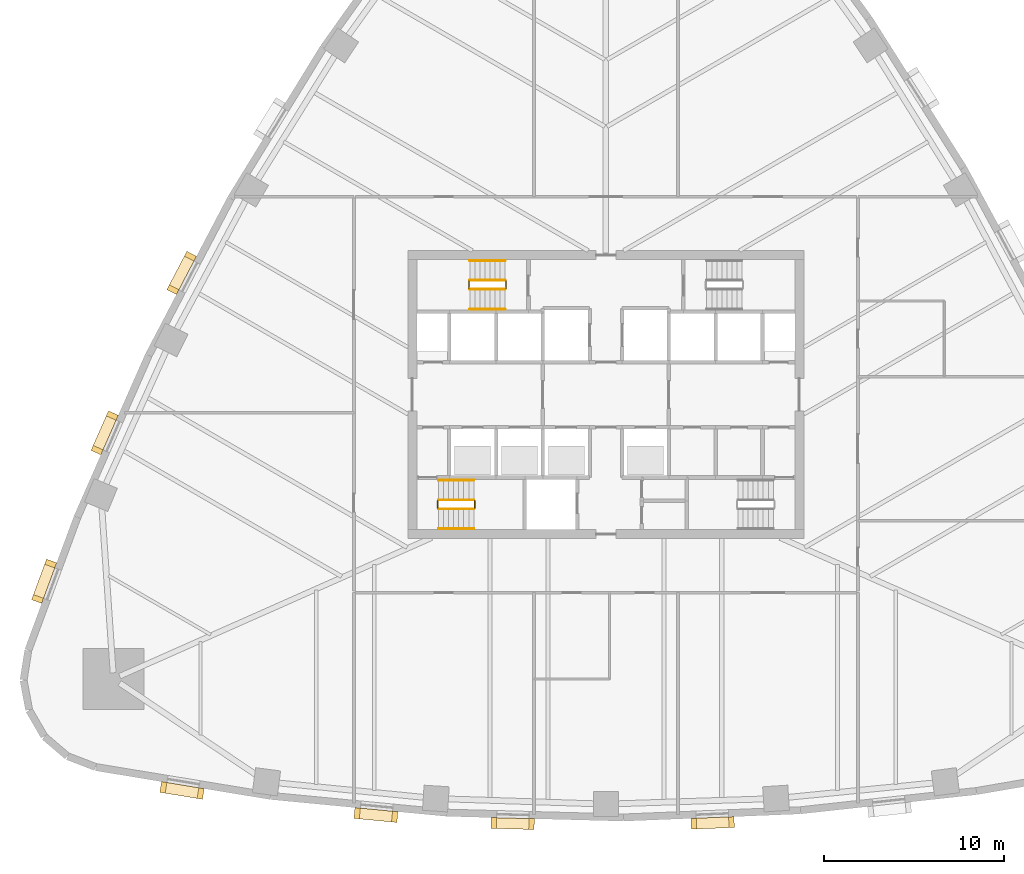
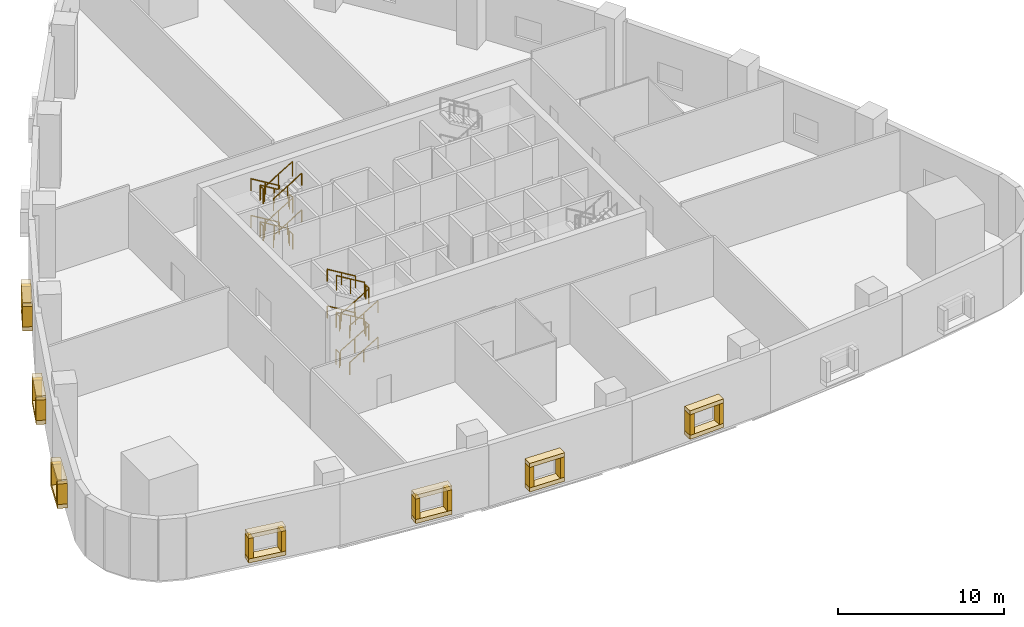
# One storey, part 8 of 11: 28 coverings, 24 railings.
"""IFC4 building model written with IfcOpenShell, lengths in metres."""

from ifc_helpers import new_model, si_unit, direction, frame, origin, origin_2d, place, context, subcontext, project, spatial, rectangle, circle, extrude, material, layer, layer_set, type_object, element, save


model = new_model("IFC4")

# Units and contexts
model_context = context("Model", 3, precision=1e-05, world=origin(), true_north=direction((0.0, 1.0)))
body_context = subcontext(model_context, "Body", "Model", "MODEL_VIEW")
ifc_project = project(units=[si_unit("LENGTHUNIT", "METRE"), si_unit("AREAUNIT", "SQUARE_METRE"), si_unit("VOLUMEUNIT", "CUBIC_METRE"), si_unit("PLANEANGLEUNIT", "RADIAN"), si_unit("MASSUNIT", "GRAM", prefix="KILO")], contexts=[model_context])

# Site, building, storey
site_placement = place(None, origin())
site = spatial("IfcSite", under=ifc_project, at=site_placement, CompositionType="ELEMENT")
building_placement = place(site_placement, origin())
building = spatial("IfcBuilding", under=site, at=building_placement, Name="Sierra Prisma Convention Tower", CompositionType="ELEMENT")
storey_placement = place(building_placement, frame((0.0, 0.0, 28.800048828125)))
storey = spatial("IfcBuildingStorey", under=building, at=storey_placement, Name="L04", CompositionType="ELEMENT", Elevation=28.800048828125)

# Railings
ifc_material_1 = material(Name="Stainless steel", Category="steel")
railing_type_1 = type_object("IfcRailingType", Name="Exit stair handrail", PredefinedType="HANDRAIL", material=ifc_material_1)
railing_1_placement = place(storey_placement, frame((-9.300048828125, -7.449951171875, 0.168701171875)))
element("IfcRailing", 1, at=railing_1_placement, inside=storey, type_object=railing_type_1, Name="L04 S1 stair handrail 1", PredefinedType="HANDRAIL", context=body_context, shape_type="SweptSolid", body=[
    extrude(circle(Radius=0.02392578125, at=origin_2d()), frame((0.0, 0.0, 0.8759765625), z_axis=(0.856493463811, 0.0, 0.516157869696), x_axis=(0.0, 1.0, 0.0)), (0.0, 0.0, 1.0), 2.288330078125),
    extrude(circle(Radius=0.02099609375, at=origin_2d()), origin(), (0.0, 0.0, 1.0), 0.851806640625),
    extrude(circle(Radius=0.02099609375, at=origin_2d()), frame((0.97998046875, 0.0, 0.590576171875)), (0.0, 0.0, 1.0), 0.851806640625),
    extrude(circle(Radius=0.02099609375, at=origin_2d()), frame((1.9599609375, 0.0, 1.18115234375)), (0.0, 0.0, 1.0), 0.851806640625),
])
railing_2_placement = place(storey_placement, frame((-7.340087890625, -4.75, 1.518798828125)))
element("IfcRailing", 2, at=railing_2_placement, inside=storey, type_object=railing_type_1, Name="L04 S1 stair handrail 2", PredefinedType="HANDRAIL", context=body_context, shape_type="SweptSolid", body=[
    extrude(circle(Radius=0.02392578125, at=origin_2d()), frame((0.0, 0.0, 0.8759765625), z_axis=(-0.856493463811, 0.0, 0.516157869696), x_axis=(0.0, -1.0, 0.0)), (0.0, 0.0, 1.0), 2.288330078125),
    extrude(circle(Radius=0.02099609375, at=origin_2d()), origin(), (0.0, 0.0, 1.0), 0.851806640625),
    extrude(circle(Radius=0.02099609375, at=origin_2d()), frame((-0.97998046875, 0.0, 0.590576171875)), (0.0, 0.0, 1.0), 0.851806640625),
    extrude(circle(Radius=0.02099609375, at=origin_2d()), frame((-1.9599609375, 0.0, 1.18115234375)), (0.0, 0.0, 1.0), 0.851806640625),
])
railing_3_placement = place(storey_placement, frame((-9.300048828125, -7.449951171875, 2.86865234375)))
element("IfcRailing", 3, at=railing_3_placement, inside=storey, type_object=railing_type_1, Name="L04 S1 stair handrail 3", PredefinedType="HANDRAIL", context=body_context, shape_type="SweptSolid", body=[
    extrude(circle(Radius=0.02392578125, at=origin_2d()), frame((0.0, 0.0, 0.8759765625), z_axis=(0.856446297458, 0.0, 0.516236127728), x_axis=(0.0, 1.0, 0.0)), (0.0, 0.0, 1.0), 2.28857421875),
    extrude(circle(Radius=0.02099609375, at=origin_2d()), origin(), (0.0, 0.0, 1.0), 0.851806640625),
    extrude(circle(Radius=0.02099609375, at=origin_2d()), frame((0.97998046875, 0.0, 0.5908203125)), (0.0, 0.0, 1.0), 0.851806640625),
    extrude(circle(Radius=0.02099609375, at=origin_2d()), frame((1.9599609375, 0.0, 1.181396484375)), (0.0, 0.0, 1.0), 0.851806640625),
])
for number, where, name in (
    (4, (-7.340087890625, -4.75, 4.21875), "L04 S1 stair handrail 4"),
    (5, (-5.60009765625, 7.449951171875, 0.168701171875), "L04 S3 stair handrail 1"),
):
    element("IfcRailing", number, at=place(storey_placement, frame(where)), inside=storey, type_object=railing_type_1, Name=name, PredefinedType="HANDRAIL", context=body_context, shape_type="SweptSolid", body=[
        extrude(circle(Radius=0.02392578125, at=origin_2d()), frame((0.0, 0.0, 0.8759765625), z_axis=(-0.856493463811, 0.0, 0.516157869696), x_axis=(0.0, -1.0, 0.0)), (0.0, 0.0, 1.0), 2.288330078125),
        extrude(circle(Radius=0.02099609375, at=origin_2d()), origin(), (0.0, 0.0, 1.0), 0.851806640625),
        extrude(circle(Radius=0.02099609375, at=origin_2d()), frame((-0.97998046875, 0.0, 0.590576171875)), (0.0, 0.0, 1.0), 0.851806640625),
        extrude(circle(Radius=0.02099609375, at=origin_2d()), frame((-1.9599609375, 0.0, 1.18115234375)), (0.0, 0.0, 1.0), 0.851806640625),
    ])
railing_4_placement = place(storey_placement, frame((-7.56005859375, 4.75, 1.518798828125)))
element("IfcRailing", 6, at=railing_4_placement, inside=storey, type_object=railing_type_1, Name="L04 S3 stair handrail 2", PredefinedType="HANDRAIL", context=body_context, shape_type="SweptSolid", body=[
    extrude(circle(Radius=0.02392578125, at=origin_2d()), frame((0.0, 0.0, 0.8759765625), z_axis=(0.856493463811, 0.0, 0.516157869696), x_axis=(0.0, 1.0, 0.0)), (0.0, 0.0, 1.0), 2.288330078125),
    extrude(circle(Radius=0.02099609375, at=origin_2d()), origin(), (0.0, 0.0, 1.0), 0.851806640625),
    extrude(circle(Radius=0.02099609375, at=origin_2d()), frame((0.97998046875, 0.0, 0.590576171875)), (0.0, 0.0, 1.0), 0.851806640625),
    extrude(circle(Radius=0.02099609375, at=origin_2d()), frame((1.9599609375, 0.0, 1.18115234375)), (0.0, 0.0, 1.0), 0.851806640625),
])
railing_5_placement = place(storey_placement, frame((-5.60009765625, 7.449951171875, 2.86865234375)))
element("IfcRailing", 7, at=railing_5_placement, inside=storey, type_object=railing_type_1, Name="L04 S3 stair handrail 3", PredefinedType="HANDRAIL", context=body_context, shape_type="SweptSolid", body=[
    extrude(circle(Radius=0.02392578125, at=origin_2d()), frame((0.0, 0.0, 0.8759765625), z_axis=(-0.856446297458, 0.0, 0.516236127728), x_axis=(0.0, -1.0, 0.0)), (0.0, 0.0, 1.0), 2.28857421875),
    extrude(circle(Radius=0.02099609375, at=origin_2d()), origin(), (0.0, 0.0, 1.0), 0.851806640625),
    extrude(circle(Radius=0.02099609375, at=origin_2d()), frame((-0.97998046875, 0.0, 0.5908203125)), (0.0, 0.0, 1.0), 0.851806640625),
    extrude(circle(Radius=0.02099609375, at=origin_2d()), frame((-1.9599609375, 0.0, 1.181396484375)), (0.0, 0.0, 1.0), 0.851806640625),
])
railing_6_placement = place(storey_placement, frame((-7.56005859375, 4.75, 4.21875)))
element("IfcRailing", 8, at=railing_6_placement, inside=storey, type_object=railing_type_1, Name="L04 S3 stair handrail 4", PredefinedType="HANDRAIL", context=body_context, shape_type="SweptSolid", body=[
    extrude(circle(Radius=0.02392578125, at=origin_2d()), frame((0.0, 0.0, 0.8759765625), z_axis=(0.856493463811, 0.0, 0.516157869696), x_axis=(0.0, 1.0, 0.0)), (0.0, 0.0, 1.0), 2.288330078125),
    extrude(circle(Radius=0.02099609375, at=origin_2d()), origin(), (0.0, 0.0, 1.0), 0.851806640625),
    extrude(circle(Radius=0.02099609375, at=origin_2d()), frame((0.97998046875, 0.0, 0.590576171875)), (0.0, 0.0, 1.0), 0.851806640625),
    extrude(circle(Radius=0.02099609375, at=origin_2d()), frame((1.9599609375, 0.0, 1.18115234375)), (0.0, 0.0, 1.0), 0.851806640625),
])

# Coverings
ifc_material_2 = material(Name="Lime plaster, terracotta pigment", Category="masonry")
ifc_layer = layer(ifc_material_2, 0.300048828125)
ifc_layer_set = layer_set([ifc_layer], Name="Plaster reveal frame")
covering_type = type_object("IfcCoveringType", Name="Plaster reveal frame", PredefinedType="CLADDING", material=ifc_layer_set)
for number, where, z_axis, x_axis, name in (
    (9, (-24.05908203125, 5.833251953125, 0.89990234375), (0.0, 0.0, 1.0), (0.464253182401, 0.885702536199, 0.0), "Window reveal jamb"),
    (10, (-23.084228515625, 7.693115234375, 0.89990234375), (0.0, 0.0, 1.0), (0.464253182401, 0.885702536199, 0.0), "Window reveal jamb"),
):
    element("IfcCovering", number, at=place(storey_placement, frame(where, z_axis=z_axis, x_axis=x_axis)), inside=storey, type_object=covering_type, Name=name, PredefinedType="CLADDING", context=body_context, shape_type="SweptSolid", body=[
        extrude(rectangle(XDim=0.300048828125, YDim=0.60009765625, at=origin_2d()), origin(), (0.0, 0.0, 1.0), 1.5),
    ])
for number, where, z_axis, x_axis, name in (
    (11, (-23.571533203125, 6.76318359375, 2.39990234375), (0.0, 0.0, 1.0), (0.464253182401, 0.885702536199, 0.0), "Window reveal head"),
    (12, (-23.571533203125, 6.76318359375, 0.60009765625), (0.0, 0.0, 1.0), (0.464253182401, 0.885702536199, 0.0), "Window reveal sill"),
):
    element("IfcCovering", number, at=place(storey_placement, frame(where, z_axis=z_axis, x_axis=x_axis)), inside=storey, type_object=covering_type, Name=name, PredefinedType="CLADDING", context=body_context, shape_type="SweptSolid", body=[
        extrude(rectangle(XDim=2.39990234375, YDim=0.60009765625, at=origin_2d()), origin(), (0.0, 0.0, 1.0), 0.300048828125),
    ])
for number, where, z_axis, x_axis, name in (
    (13, (-28.272216796875, -3.08251953125, 0.89990234375), (0.0, 0.0, 1.0), (0.402986304039, 0.915206008917, 0.0), "Window reveal jamb"),
    (14, (-27.426025390625, -1.160400390625, 0.89990234375), (0.0, 0.0, 1.0), (0.402986304039, 0.915206008917, 0.0), "Window reveal jamb"),
):
    element("IfcCovering", number, at=place(storey_placement, frame(where, z_axis=z_axis, x_axis=x_axis)), inside=storey, type_object=covering_type, Name=name, PredefinedType="CLADDING", context=body_context, shape_type="SweptSolid", body=[
        extrude(rectangle(XDim=0.300048828125, YDim=0.60009765625, at=origin_2d()), origin(), (0.0, 0.0, 1.0), 1.5),
    ])
for number, where, z_axis, x_axis, name in (
    (15, (-27.84912109375, -2.12158203125, 2.39990234375), (0.0, 0.0, 1.0), (0.402986304039, 0.915206008917, 0.0), "Window reveal head"),
    (16, (-27.84912109375, -2.12158203125, 0.60009765625), (0.0, 0.0, 1.0), (0.402986304039, 0.915206008917, 0.0), "Window reveal sill"),
):
    element("IfcCovering", number, at=place(storey_placement, frame(where, z_axis=z_axis, x_axis=x_axis)), inside=storey, type_object=covering_type, Name=name, PredefinedType="CLADDING", context=body_context, shape_type="SweptSolid", body=[
        extrude(rectangle(XDim=2.39990234375, YDim=0.60009765625, at=origin_2d()), origin(), (0.0, 0.0, 1.0), 0.300048828125),
    ])
for number, where, z_axis, x_axis, name in (
    (17, (-31.57666015625, -11.352783203125, 0.89990234375), (0.0, 0.0, 1.0), (0.346215302346, 0.938155085485, 0.0), "Window reveal jamb"),
    (18, (-30.849609375, -9.382568359375, 0.89990234375), (0.0, 0.0, 1.0), (0.346215302346, 0.938155085485, 0.0), "Window reveal jamb"),
):
    element("IfcCovering", number, at=place(storey_placement, frame(where, z_axis=z_axis, x_axis=x_axis)), inside=storey, type_object=covering_type, Name=name, PredefinedType="CLADDING", context=body_context, shape_type="SweptSolid", body=[
        extrude(rectangle(XDim=0.300048828125, YDim=0.60009765625, at=origin_2d()), origin(), (0.0, 0.0, 1.0), 1.5),
    ])
for number, where, z_axis, x_axis, name in (
    (19, (-31.213134765625, -10.36767578125, 2.39990234375), (0.0, 0.0, 1.0), (0.346215302346, 0.938155085485, 0.0), "Window reveal head"),
    (20, (-31.213134765625, -10.36767578125, 0.60009765625), (0.0, 0.0, 1.0), (0.346215302346, 0.938155085485, 0.0), "Window reveal sill"),
):
    element("IfcCovering", number, at=place(storey_placement, frame(where, z_axis=z_axis, x_axis=x_axis)), inside=storey, type_object=covering_type, Name=name, PredefinedType="CLADDING", context=body_context, shape_type="SweptSolid", body=[
        extrude(rectangle(XDim=2.39990234375, YDim=0.60009765625, at=origin_2d()), origin(), (0.0, 0.0, 1.0), 0.300048828125),
    ])
for number, where, z_axis, x_axis, name in (
    (21, (-22.5166015625, -22.16162109375, 0.89990234375), (0.0, 0.0, 1.0), (-0.986701835398, 0.162540727275, 0.0), "Window reveal jamb"),
    (22, (-24.588623046875, -21.820068359375, 0.89990234375), (0.0, 0.0, 1.0), (-0.986701835398, 0.162540727275, 0.0), "Window reveal jamb"),
):
    element("IfcCovering", number, at=place(storey_placement, frame(where, z_axis=z_axis, x_axis=x_axis)), inside=storey, type_object=covering_type, Name=name, PredefinedType="CLADDING", context=body_context, shape_type="SweptSolid", body=[
        extrude(rectangle(XDim=0.300048828125, YDim=0.60009765625, at=origin_2d()), origin(), (0.0, 0.0, 1.0), 1.5),
    ])
for number, where, z_axis, x_axis, name in (
    (23, (-23.552734375, -21.99072265625, 2.39990234375), (0.0, 0.0, 1.0), (-0.986701835398, 0.162540727275, 0.0), "Window reveal head"),
    (24, (-23.552734375, -21.99072265625, 0.60009765625), (0.0, 0.0, 1.0), (-0.986701835398, 0.162540727275, 0.0), "Window reveal sill"),
):
    element("IfcCovering", number, at=place(storey_placement, frame(where, z_axis=z_axis, x_axis=x_axis)), inside=storey, type_object=covering_type, Name=name, PredefinedType="CLADDING", context=body_context, shape_type="SweptSolid", body=[
        extrude(rectangle(XDim=2.39990234375, YDim=0.60009765625, at=origin_2d()), origin(), (0.0, 0.0, 1.0), 0.300048828125),
    ])
for number, where, z_axis, x_axis, name in (
    (25, (-11.7333984375, -23.455810546875, 0.89990234375), (0.0, 0.0, 1.0), (-0.99547017287, 0.095074365238, 0.0), "Window reveal jamb"),
    (26, (-13.82373046875, -23.256103515625, 0.89990234375), (0.0, 0.0, 1.0), (-0.99547017287, 0.095074365238, 0.0), "Window reveal jamb"),
):
    element("IfcCovering", number, at=place(storey_placement, frame(where, z_axis=z_axis, x_axis=x_axis)), inside=storey, type_object=covering_type, Name=name, PredefinedType="CLADDING", context=body_context, shape_type="SweptSolid", body=[
        extrude(rectangle(XDim=0.300048828125, YDim=0.60009765625, at=origin_2d()), origin(), (0.0, 0.0, 1.0), 1.5),
    ])
for number, where, z_axis, x_axis, name in (
    (27, (-12.778564453125, -23.35595703125, 2.39990234375), (0.0, 0.0, 1.0), (-0.99547017287, 0.095074365238, 0.0), "Window reveal head"),
    (28, (-12.778564453125, -23.35595703125, 0.60009765625), (0.0, 0.0, 1.0), (-0.99547017287, 0.095074365238, 0.0), "Window reveal sill"),
):
    element("IfcCovering", number, at=place(storey_placement, frame(where, z_axis=z_axis, x_axis=x_axis)), inside=storey, type_object=covering_type, Name=name, PredefinedType="CLADDING", context=body_context, shape_type="SweptSolid", body=[
        extrude(rectangle(XDim=2.39990234375, YDim=0.60009765625, at=origin_2d()), origin(), (0.0, 0.0, 1.0), 0.300048828125),
    ])
for number, where, z_axis, x_axis, name in (
    (29, (-4.131591796875, -23.857666015625, 0.89990234375), (0.0, 0.0, 1.0), (-0.999629934375, 0.027202836272, 0.0), "Window reveal jamb"),
    (30, (-6.23095703125, -23.800537109375, 0.89990234375), (0.0, 0.0, 1.0), (-0.999629934375, 0.027202836272, 0.0), "Window reveal jamb"),
):
    element("IfcCovering", number, at=place(storey_placement, frame(where, z_axis=z_axis, x_axis=x_axis)), inside=storey, type_object=covering_type, Name=name, PredefinedType="CLADDING", context=body_context, shape_type="SweptSolid", body=[
        extrude(rectangle(XDim=0.300048828125, YDim=0.60009765625, at=origin_2d()), origin(), (0.0, 0.0, 1.0), 1.5),
    ])
for number, where, z_axis, x_axis, name in (
    (31, (-5.181396484375, -23.8291015625, 2.39990234375), (0.0, 0.0, 1.0), (-0.999629934375, 0.027202836272, 0.0), "Window reveal head"),
    (32, (-5.181396484375, -23.8291015625, 0.60009765625), (0.0, 0.0, 1.0), (-0.999629934375, 0.027202836272, 0.0), "Window reveal sill"),
):
    element("IfcCovering", number, at=place(storey_placement, frame(where, z_axis=z_axis, x_axis=x_axis)), inside=storey, type_object=covering_type, Name=name, PredefinedType="CLADDING", context=body_context, shape_type="SweptSolid", body=[
        extrude(rectangle(XDim=2.39990234375, YDim=0.60009765625, at=origin_2d()), origin(), (0.0, 0.0, 1.0), 0.300048828125),
    ])
for number, where, z_axis, x_axis, name in (
    (33, (6.977783203125, -23.75244140625, 0.89990234375), (0.0, 0.0, 1.0), (-0.999167487746, -0.040796218352, 0.0), "Window reveal jamb"),
    (34, (4.879638671875, -23.838134765625, 0.89990234375), (0.0, 0.0, 1.0), (-0.999167487746, -0.040796218352, 0.0), "Window reveal jamb"),
):
    element("IfcCovering", number, at=place(storey_placement, frame(where, z_axis=z_axis, x_axis=x_axis)), inside=storey, type_object=covering_type, Name=name, PredefinedType="CLADDING", context=body_context, shape_type="SweptSolid", body=[
        extrude(rectangle(XDim=0.300048828125, YDim=0.60009765625, at=origin_2d()), origin(), (0.0, 0.0, 1.0), 1.5),
    ])
for number, where, z_axis, x_axis, name in (
    (35, (5.9287109375, -23.795166015625, 2.39990234375), (0.0, 0.0, 1.0), (-0.999167487746, -0.040796218352, 0.0), "Window reveal head"),
    (36, (5.9287109375, -23.795166015625, 0.60009765625), (0.0, 0.0, 1.0), (-0.999167487746, -0.040796218352, 0.0), "Window reveal sill"),
):
    element("IfcCovering", number, at=place(storey_placement, frame(where, z_axis=z_axis, x_axis=x_axis)), inside=storey, type_object=covering_type, Name=name, PredefinedType="CLADDING", context=body_context, shape_type="SweptSolid", body=[
        extrude(rectangle(XDim=2.39990234375, YDim=0.60009765625, at=origin_2d()), origin(), (0.0, 0.0, 1.0), 0.300048828125),
    ])

# Railings
ifc_material_3 = material(Name="Stainless steel", Category="steel")
railing_type_2 = type_object("IfcRailingType", Name="Stair guard 1100", PredefinedType="GUARDRAIL", material=ifc_material_3)
railing_7_placement = place(storey_placement, frame((-9.300048828125, -6.35009765625, 0.168701171875)))
element("IfcRailing", 37, at=railing_7_placement, inside=storey, type_object=railing_type_2, Name="L04 S1 stair guard 1", PredefinedType="GUARDRAIL", context=body_context, shape_type="SweptSolid", body=[
    extrude(circle(Radius=0.02392578125, at=origin_2d()), frame((0.0, 0.0, 1.076171875), z_axis=(0.856493463811, 0.0, 0.516157869696), x_axis=(0.0, 1.0, 0.0)), (0.0, 0.0, 1.0), 2.288330078125),
    extrude(circle(Radius=0.02099609375, at=origin_2d()), origin(), (0.0, 0.0, 1.0), 1.052001953125),
    extrude(circle(Radius=0.02099609375, at=origin_2d()), frame((0.97998046875, 0.0, 0.590576171875)), (0.0, 0.0, 1.0), 1.052001953125),
    extrude(circle(Radius=0.02099609375, at=origin_2d()), frame((1.9599609375, 0.0, 1.18115234375)), (0.0, 0.0, 1.0), 1.052001953125),
])
railing_8_placement = place(storey_placement, frame((-7.2900390625, -6.300048828125, 1.349853515625)))
element("IfcRailing", 38, at=railing_8_placement, inside=storey, type_object=railing_type_2, Name="L04 S1 stair guard 2", PredefinedType="GUARDRAIL", context=body_context, shape_type="SweptSolid", body=[
    extrude(circle(Radius=0.02392578125, at=origin_2d()), frame((0.0, 0.0, 1.076171875), z_axis=(0.0, 1.0, 0.0), x_axis=(-1.0, 0.0, 0.0)), (0.0, 0.0, 1.0), 0.400146484375),
    extrude(circle(Radius=0.02099609375, at=origin_2d()), origin(), (0.0, 0.0, 1.0), 1.052001953125),
    extrude(circle(Radius=0.02099609375, at=origin_2d()), frame((0.0, 0.400146484375, 0.0)), (0.0, 0.0, 1.0), 1.052001953125),
])
railing_9_placement = place(storey_placement, frame((-7.340087890625, -5.85009765625, 1.518798828125)))
element("IfcRailing", 39, at=railing_9_placement, inside=storey, type_object=railing_type_2, Name="L04 S1 stair guard 3", PredefinedType="GUARDRAIL", context=body_context, shape_type="SweptSolid", body=[
    extrude(circle(Radius=0.02392578125, at=origin_2d()), frame((0.0, 0.0, 1.076171875), z_axis=(-0.856493463811, 0.0, 0.516157869696), x_axis=(0.0, -1.0, 0.0)), (0.0, 0.0, 1.0), 2.288330078125),
    extrude(circle(Radius=0.02099609375, at=origin_2d()), origin(), (0.0, 0.0, 1.0), 1.052001953125),
    extrude(circle(Radius=0.02099609375, at=origin_2d()), frame((-0.97998046875, 0.0, 0.590576171875)), (0.0, 0.0, 1.0), 1.052001953125),
    extrude(circle(Radius=0.02099609375, at=origin_2d()), frame((-1.9599609375, 0.0, 1.18115234375)), (0.0, 0.0, 1.0), 1.052001953125),
])
railing_10_placement = place(storey_placement, frame((-9.35009765625, -6.300048828125, 2.699951171875)))
element("IfcRailing", 40, at=railing_10_placement, inside=storey, type_object=railing_type_2, Name="L04 S1 stair guard 4", PredefinedType="GUARDRAIL", context=body_context, shape_type="SweptSolid", body=[
    extrude(circle(Radius=0.02392578125, at=origin_2d()), frame((0.0, 0.0, 1.076171875), z_axis=(0.0, 1.0, 0.0), x_axis=(-1.0, 0.0, 0.0)), (0.0, 0.0, 1.0), 0.400146484375),
    extrude(circle(Radius=0.02099609375, at=origin_2d()), origin(), (0.0, 0.0, 1.0), 1.052001953125),
    extrude(circle(Radius=0.02099609375, at=origin_2d()), frame((0.0, 0.400146484375, 0.0)), (0.0, 0.0, 1.0), 1.052001953125),
])
railing_11_placement = place(storey_placement, frame((-9.300048828125, -6.35009765625, 2.86865234375)))
element("IfcRailing", 41, at=railing_11_placement, inside=storey, type_object=railing_type_2, Name="L04 S1 stair guard 5", PredefinedType="GUARDRAIL", context=body_context, shape_type="SweptSolid", body=[
    extrude(circle(Radius=0.02392578125, at=origin_2d()), frame((0.0, 0.0, 1.076171875), z_axis=(0.856446297458, 0.0, 0.516236127728), x_axis=(0.0, 1.0, 0.0)), (0.0, 0.0, 1.0), 2.28857421875),
    extrude(circle(Radius=0.02099609375, at=origin_2d()), origin(), (0.0, 0.0, 1.0), 1.052001953125),
    extrude(circle(Radius=0.02099609375, at=origin_2d()), frame((0.97998046875, 0.0, 0.5908203125)), (0.0, 0.0, 1.0), 1.052001953125),
    extrude(circle(Radius=0.02099609375, at=origin_2d()), frame((1.9599609375, 0.0, 1.181396484375)), (0.0, 0.0, 1.0), 1.052001953125),
])
railing_12_placement = place(storey_placement, frame((-7.2900390625, -6.300048828125, 4.050048828125)))
element("IfcRailing", 42, at=railing_12_placement, inside=storey, type_object=railing_type_2, Name="L04 S1 stair guard 6", PredefinedType="GUARDRAIL", context=body_context, shape_type="SweptSolid", body=[
    extrude(circle(Radius=0.02392578125, at=origin_2d()), frame((0.0, 0.0, 1.076171875), z_axis=(0.0, 1.0, 0.0), x_axis=(-1.0, 0.0, 0.0)), (0.0, 0.0, 1.0), 0.400146484375),
    extrude(circle(Radius=0.02099609375, at=origin_2d()), origin(), (0.0, 0.0, 1.0), 1.052001953125),
    extrude(circle(Radius=0.02099609375, at=origin_2d()), frame((0.0, 0.400146484375, 0.0)), (0.0, 0.0, 1.0), 1.052001953125),
])
railing_13_placement = place(storey_placement, frame((-7.340087890625, -5.85009765625, 4.21875)))
element("IfcRailing", 43, at=railing_13_placement, inside=storey, type_object=railing_type_2, Name="L04 S1 stair guard 7", PredefinedType="GUARDRAIL", context=body_context, shape_type="SweptSolid", body=[
    extrude(circle(Radius=0.02392578125, at=origin_2d()), frame((0.0, 0.0, 1.076171875), z_axis=(-0.856493463811, 0.0, 0.516157869696), x_axis=(0.0, -1.0, 0.0)), (0.0, 0.0, 1.0), 2.288330078125),
    extrude(circle(Radius=0.02099609375, at=origin_2d()), origin(), (0.0, 0.0, 1.0), 1.052001953125),
    extrude(circle(Radius=0.02099609375, at=origin_2d()), frame((-0.97998046875, 0.0, 0.590576171875)), (0.0, 0.0, 1.0), 1.052001953125),
    extrude(circle(Radius=0.02099609375, at=origin_2d()), frame((-1.9599609375, 0.0, 1.18115234375)), (0.0, 0.0, 1.0), 1.052001953125),
])
railing_14_placement = place(storey_placement, frame((-9.35009765625, -6.300048828125, 0.0)))
element("IfcRailing", 44, at=railing_14_placement, inside=storey, type_object=railing_type_2, Name="L04 S1 stair guard 8", PredefinedType="GUARDRAIL", context=body_context, shape_type="SweptSolid", body=[
    extrude(circle(Radius=0.02392578125, at=origin_2d()), frame((0.0, 0.0, 1.076171875), z_axis=(0.0, 1.0, 0.0), x_axis=(-1.0, 0.0, 0.0)), (0.0, 0.0, 1.0), 0.400146484375),
    extrude(circle(Radius=0.02099609375, at=origin_2d()), origin(), (0.0, 0.0, 1.0), 1.052001953125),
    extrude(circle(Radius=0.02099609375, at=origin_2d()), frame((0.0, 0.400146484375, 0.0)), (0.0, 0.0, 1.0), 1.052001953125),
])
railing_15_placement = place(storey_placement, frame((-5.60009765625, 6.35009765625, 0.168701171875)))
element("IfcRailing", 45, at=railing_15_placement, inside=storey, type_object=railing_type_2, Name="L04 S3 stair guard 1", PredefinedType="GUARDRAIL", context=body_context, shape_type="SweptSolid", body=[
    extrude(circle(Radius=0.02392578125, at=origin_2d()), frame((0.0, 0.0, 1.076171875), z_axis=(-0.856493463811, 0.0, 0.516157869696), x_axis=(0.0, -1.0, 0.0)), (0.0, 0.0, 1.0), 2.288330078125),
    extrude(circle(Radius=0.02099609375, at=origin_2d()), origin(), (0.0, 0.0, 1.0), 1.052001953125),
    extrude(circle(Radius=0.02099609375, at=origin_2d()), frame((-0.97998046875, 0.0, 0.590576171875)), (0.0, 0.0, 1.0), 1.052001953125),
    extrude(circle(Radius=0.02099609375, at=origin_2d()), frame((-1.9599609375, 0.0, 1.18115234375)), (0.0, 0.0, 1.0), 1.052001953125),
])
railing_16_placement = place(storey_placement, frame((-7.610107421875, 6.300048828125, 1.349853515625)))
element("IfcRailing", 46, at=railing_16_placement, inside=storey, type_object=railing_type_2, Name="L04 S3 stair guard 2", PredefinedType="GUARDRAIL", context=body_context, shape_type="SweptSolid", body=[
    extrude(circle(Radius=0.02392578125, at=origin_2d()), frame((0.0, 0.0, 1.076171875), z_axis=(0.0, -1.0, 0.0), x_axis=(1.0, 0.0, 0.0)), (0.0, 0.0, 1.0), 0.400146484375),
    extrude(circle(Radius=0.02099609375, at=origin_2d()), origin(), (0.0, 0.0, 1.0), 1.052001953125),
    extrude(circle(Radius=0.02099609375, at=origin_2d()), frame((0.0, -0.400146484375, 0.0)), (0.0, 0.0, 1.0), 1.052001953125),
])
railing_17_placement = place(storey_placement, frame((-7.56005859375, 5.85009765625, 1.518798828125)))
element("IfcRailing", 47, at=railing_17_placement, inside=storey, type_object=railing_type_2, Name="L04 S3 stair guard 3", PredefinedType="GUARDRAIL", context=body_context, shape_type="SweptSolid", body=[
    extrude(circle(Radius=0.02392578125, at=origin_2d()), frame((0.0, 0.0, 1.076171875), z_axis=(0.856493463811, 0.0, 0.516157869696), x_axis=(0.0, 1.0, 0.0)), (0.0, 0.0, 1.0), 2.288330078125),
    extrude(circle(Radius=0.02099609375, at=origin_2d()), origin(), (0.0, 0.0, 1.0), 1.052001953125),
    extrude(circle(Radius=0.02099609375, at=origin_2d()), frame((0.97998046875, 0.0, 0.590576171875)), (0.0, 0.0, 1.0), 1.052001953125),
    extrude(circle(Radius=0.02099609375, at=origin_2d()), frame((1.9599609375, 0.0, 1.18115234375)), (0.0, 0.0, 1.0), 1.052001953125),
])
railing_18_placement = place(storey_placement, frame((-5.550048828125, 6.300048828125, 2.699951171875)))
element("IfcRailing", 48, at=railing_18_placement, inside=storey, type_object=railing_type_2, Name="L04 S3 stair guard 4", PredefinedType="GUARDRAIL", context=body_context, shape_type="SweptSolid", body=[
    extrude(circle(Radius=0.02392578125, at=origin_2d()), frame((0.0, 0.0, 1.076171875), z_axis=(0.0, -1.0, 0.0), x_axis=(1.0, 0.0, 0.0)), (0.0, 0.0, 1.0), 0.400146484375),
    extrude(circle(Radius=0.02099609375, at=origin_2d()), origin(), (0.0, 0.0, 1.0), 1.052001953125),
    extrude(circle(Radius=0.02099609375, at=origin_2d()), frame((0.0, -0.400146484375, 0.0)), (0.0, 0.0, 1.0), 1.052001953125),
])
railing_19_placement = place(storey_placement, frame((-5.60009765625, 6.35009765625, 2.86865234375)))
element("IfcRailing", 49, at=railing_19_placement, inside=storey, type_object=railing_type_2, Name="L04 S3 stair guard 5", PredefinedType="GUARDRAIL", context=body_context, shape_type="SweptSolid", body=[
    extrude(circle(Radius=0.02392578125, at=origin_2d()), frame((0.0, 0.0, 1.076171875), z_axis=(-0.856446297458, 0.0, 0.516236127728), x_axis=(0.0, -1.0, 0.0)), (0.0, 0.0, 1.0), 2.28857421875),
    extrude(circle(Radius=0.02099609375, at=origin_2d()), origin(), (0.0, 0.0, 1.0), 1.052001953125),
    extrude(circle(Radius=0.02099609375, at=origin_2d()), frame((-0.97998046875, 0.0, 0.5908203125)), (0.0, 0.0, 1.0), 1.052001953125),
    extrude(circle(Radius=0.02099609375, at=origin_2d()), frame((-1.9599609375, 0.0, 1.181396484375)), (0.0, 0.0, 1.0), 1.052001953125),
])
railing_20_placement = place(storey_placement, frame((-7.610107421875, 6.300048828125, 4.050048828125)))
element("IfcRailing", 50, at=railing_20_placement, inside=storey, type_object=railing_type_2, Name="L04 S3 stair guard 6", PredefinedType="GUARDRAIL", context=body_context, shape_type="SweptSolid", body=[
    extrude(circle(Radius=0.02392578125, at=origin_2d()), frame((0.0, 0.0, 1.076171875), z_axis=(0.0, -1.0, 0.0), x_axis=(1.0, 0.0, 0.0)), (0.0, 0.0, 1.0), 0.400146484375),
    extrude(circle(Radius=0.02099609375, at=origin_2d()), origin(), (0.0, 0.0, 1.0), 1.052001953125),
    extrude(circle(Radius=0.02099609375, at=origin_2d()), frame((0.0, -0.400146484375, 0.0)), (0.0, 0.0, 1.0), 1.052001953125),
])
railing_21_placement = place(storey_placement, frame((-7.56005859375, 5.85009765625, 4.21875)))
element("IfcRailing", 51, at=railing_21_placement, inside=storey, type_object=railing_type_2, Name="L04 S3 stair guard 7", PredefinedType="GUARDRAIL", context=body_context, shape_type="SweptSolid", body=[
    extrude(circle(Radius=0.02392578125, at=origin_2d()), frame((0.0, 0.0, 1.076171875), z_axis=(0.856493463811, 0.0, 0.516157869696), x_axis=(0.0, 1.0, 0.0)), (0.0, 0.0, 1.0), 2.288330078125),
    extrude(circle(Radius=0.02099609375, at=origin_2d()), origin(), (0.0, 0.0, 1.0), 1.052001953125),
    extrude(circle(Radius=0.02099609375, at=origin_2d()), frame((0.97998046875, 0.0, 0.590576171875)), (0.0, 0.0, 1.0), 1.052001953125),
    extrude(circle(Radius=0.02099609375, at=origin_2d()), frame((1.9599609375, 0.0, 1.18115234375)), (0.0, 0.0, 1.0), 1.052001953125),
])
railing_22_placement = place(storey_placement, frame((-5.550048828125, 6.300048828125, 0.0)))
element("IfcRailing", 52, at=railing_22_placement, inside=storey, type_object=railing_type_2, Name="L04 S3 stair guard 8", PredefinedType="GUARDRAIL", context=body_context, shape_type="SweptSolid", body=[
    extrude(circle(Radius=0.02392578125, at=origin_2d()), frame((0.0, 0.0, 1.076171875), z_axis=(0.0, -1.0, 0.0), x_axis=(1.0, 0.0, 0.0)), (0.0, 0.0, 1.0), 0.400146484375),
    extrude(circle(Radius=0.02099609375, at=origin_2d()), origin(), (0.0, 0.0, 1.0), 1.052001953125),
    extrude(circle(Radius=0.02099609375, at=origin_2d()), frame((0.0, -0.400146484375, 0.0)), (0.0, 0.0, 1.0), 1.052001953125),
])

save(model, "model.ifc")
